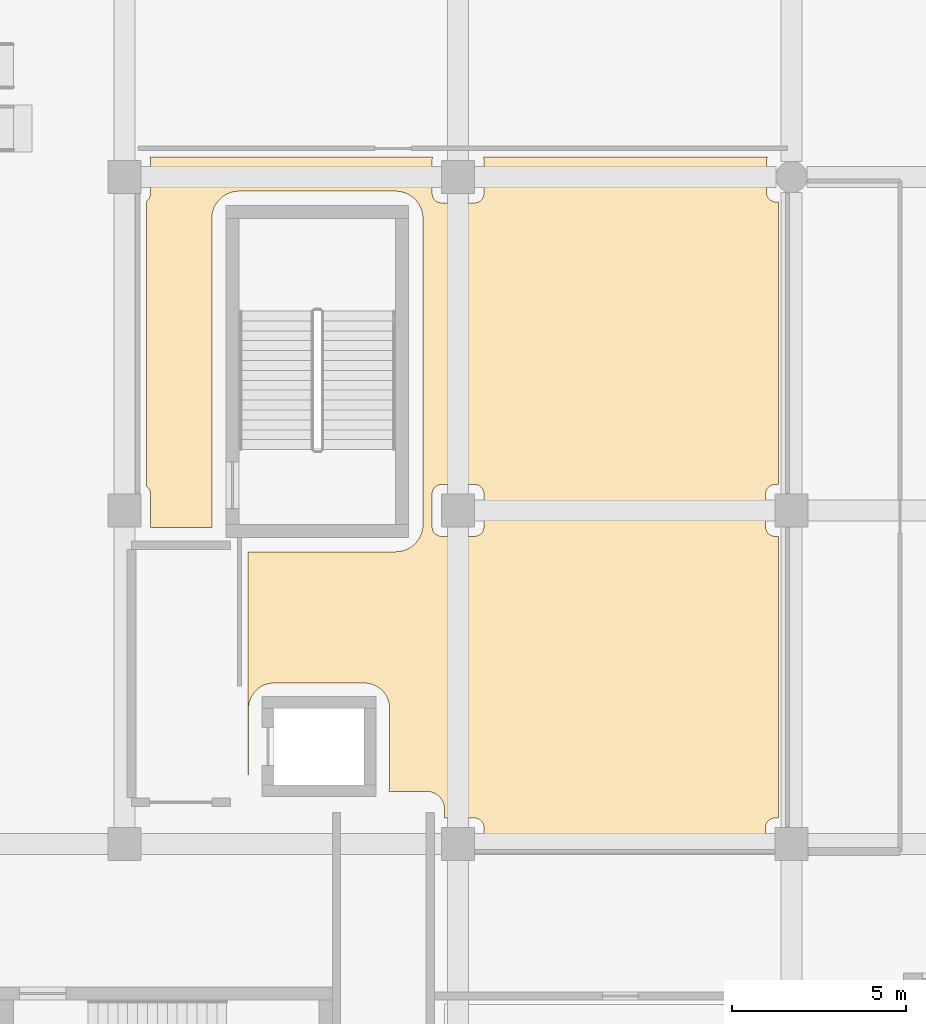
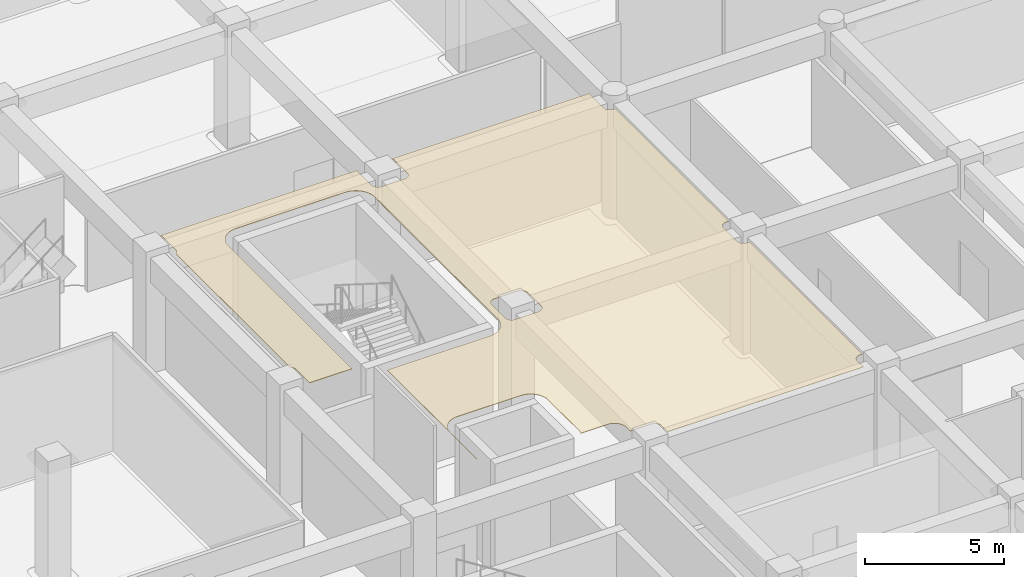
# One storey, part 50 of 74: 1 covering.
"""IFC4 building model written with IfcOpenShell, lengths in metres."""

from ifc_helpers import new_model, si_unit, direction, frame, origin, place, context, subcontext, project, spatial, polyline, outline, extrude, material, layer, layer_set, type_object, element, save


model = new_model("IFC4")

# Units and contexts
model_context = context("Model", 3, precision=1e-05, world=origin(), true_north=direction((0.0, 1.0)))
body_context = subcontext(model_context, "Body", "Model", "MODEL_VIEW")
ifc_project = project(units=[si_unit("LENGTHUNIT", "METRE"), si_unit("AREAUNIT", "SQUARE_METRE"), si_unit("VOLUMEUNIT", "CUBIC_METRE"), si_unit("PLANEANGLEUNIT", "RADIAN"), si_unit("MASSUNIT", "GRAM", prefix="KILO")], contexts=[model_context])

# Site, building, storey
site_placement = place(None, origin())
site = spatial("IfcSite", under=ifc_project, at=site_placement, CompositionType="ELEMENT")
building_placement = place(site_placement, origin())
building = spatial("IfcBuilding", under=site, at=building_placement, Name="Cendralis Terraced Arcade", CompositionType="ELEMENT")
storey_placement = place(building_placement, origin())
storey = spatial("IfcBuildingStorey", under=building, at=storey_placement, Name="L00", CompositionType="ELEMENT", Elevation=0.0)

# Covering
ifc_material = material(Name="Gypsum plasterboard acoustic partition")
ifc_layer = layer(ifc_material, 0.02490234375, Name="COV-CEIL-ACOU-25")
ifc_layer_set = layer_set([ifc_layer], Name="Gypsum plasterboard acoustic partition")
covering_type = type_object("IfcCoveringType", Name="COV-CEIL-ACOU-25", PredefinedType="CEILING", material=ifc_layer_set)
covering_placement = place(storey_placement, frame((0.0, 0.0, 5.06494140625)))
element("IfcCovering", 1, at=covering_placement, inside=storey, type_object=covering_type, Name="Acoustic Soffit Ceiling L00-030", PredefinedType="CEILING", context=body_context, shape_type="SweptSolid", body=[
    extrude(outline(polyline([(48.74462890625, 28.310791015625), (48.74462890625, 28.312744140625), (48.7451171875, 28.324951171875), (48.7451171875, 29.27490234375), (48.74462890625, 29.287353515625), (48.74462890625, 29.289306640625), (48.7421875, 29.313720703125), (48.741943359375, 29.315673828125), (48.737060546875, 29.339599609375), (48.736572265625, 29.341552734375), (48.7294921875, 29.364990234375), (48.72900390625, 29.366943359375), (48.719482421875, 29.389404296875), (48.718505859375, 29.391357421875), (48.70703125, 29.4130859375), (48.7060546875, 29.41455078125), (48.6923828125, 29.43505859375), (48.69140625, 29.4365234375), (48.67578125, 29.45556640625), (48.67431640625, 29.45703125), (48.656982421875, 29.474365234375), (48.655517578125, 29.4755859375), (48.63671875, 29.4912109375), (48.635009765625, 29.492431640625), (48.6298828125, 29.495849609375), (48.6298828125, 37.7041015625), (48.635009765625, 37.70751953125), (48.63671875, 37.708740234375), (48.655517578125, 37.724365234375), (48.656982421875, 37.7255859375), (48.67431640625, 37.742919921875), (48.67578125, 37.744384765625), (48.69140625, 37.763427734375), (48.6923828125, 37.764892578125), (48.7060546875, 37.785400390625), (48.70703125, 37.787109375), (48.718505859375, 37.80859375), (48.719482421875, 37.810546875), (48.72900390625, 37.8330078125), (48.7294921875, 37.8349609375), (48.736572265625, 37.8583984375), (48.737060546875, 37.8603515625), (48.741943359375, 37.884521484375), (48.7421875, 37.886474609375), (48.74462890625, 37.910888671875), (48.74462890625, 37.91259765625), (48.7451171875, 37.925048828125), (48.7451171875, 38.875), (48.74462890625, 38.88720703125), (48.74462890625, 38.88916015625), (48.7421875, 38.91357421875), (48.741943359375, 38.91552734375), (48.737060546875, 38.939697265625), (48.736572265625, 38.941650390625), (48.7294921875, 38.965087890625), (48.72900390625, 38.966796875), (48.7275390625, 38.969970703125), (56.872314453125, 38.969970703125), (56.87109375, 38.966796875), (56.87060546875, 38.965087890625), (56.86328125, 38.941650390625), (56.86279296875, 38.939697265625), (56.858154296875, 38.91552734375), (56.85791015625, 38.91357421875), (56.85546875, 38.88916015625), (56.855224609375, 38.88720703125), (56.85498046875, 38.875), (56.85498046875, 37.925048828125), (56.855224609375, 37.91259765625), (56.85546875, 37.910888671875), (56.85791015625, 37.886474609375), (56.858154296875, 37.884521484375), (56.86279296875, 37.8603515625), (56.86328125, 37.8583984375), (56.87060546875, 37.8349609375), (56.87109375, 37.8330078125), (56.880615234375, 37.810546875), (56.88134765625, 37.80859375), (56.892822265625, 37.787109375), (56.893798828125, 37.785400390625), (56.90771484375, 37.764892578125), (56.90869140625, 37.763427734375), (56.92431640625, 37.744384765625), (56.925537109375, 37.742919921875), (56.943115234375, 37.7255859375), (56.9443359375, 37.724365234375), (56.96337890625, 37.708740234375), (56.965087890625, 37.70751953125), (56.9853515625, 37.69384765625), (56.987060546875, 37.69287109375), (57.0087890625, 37.681396484375), (57.010498046875, 37.680419921875), (57.033203125, 37.671142578125), (57.034912109375, 37.67041015625), (57.058349609375, 37.663330078125), (57.060302734375, 37.662841796875), (57.08447265625, 37.658203125), (57.08642578125, 37.65771484375), (57.11083984375, 37.655517578125), (57.11279296875, 37.6552734375), (57.125, 37.655029296875), (58.074951171875, 37.655029296875), (58.08740234375, 37.6552734375), (58.089111328125, 37.655517578125), (58.113525390625, 37.65771484375), (58.115478515625, 37.658203125), (58.1396484375, 37.662841796875), (58.1416015625, 37.663330078125), (58.1650390625, 37.67041015625), (58.1669921875, 37.671142578125), (58.189453125, 37.680419921875), (58.19140625, 37.681396484375), (58.212890625, 37.69287109375), (58.214599609375, 37.69384765625), (58.235107421875, 37.70751953125), (58.236572265625, 37.708740234375), (58.255615234375, 37.724365234375), (58.257080078125, 37.7255859375), (58.2744140625, 37.742919921875), (58.275634765625, 37.744384765625), (58.291259765625, 37.763427734375), (58.29248046875, 37.764892578125), (58.30615234375, 37.785400390625), (58.30712890625, 37.787109375), (58.318603515625, 37.80859375), (58.319580078125, 37.810546875), (58.328857421875, 37.8330078125), (58.32958984375, 37.8349609375), (58.336669921875, 37.8583984375), (58.337158203125, 37.8603515625), (58.341796875, 37.884521484375), (58.34228515625, 37.886474609375), (58.344482421875, 37.910888671875), (58.3447265625, 37.91259765625), (58.344970703125, 37.925048828125), (58.344970703125, 38.875), (58.3447265625, 38.88720703125), (58.344482421875, 38.88916015625), (58.34228515625, 38.91357421875), (58.341796875, 38.91552734375), (58.337158203125, 38.939697265625), (58.336669921875, 38.941650390625), (58.32958984375, 38.965087890625), (58.328857421875, 38.966796875), (58.32763671875, 38.969970703125), (66.50830078125, 38.969970703125), (66.50634765625, 38.96630859375), (66.505615234375, 38.964599609375), (66.49609375, 38.94189453125), (66.49560546875, 38.93994140625), (66.48828125, 38.91650390625), (66.48779296875, 38.91455078125), (66.483154296875, 38.890625), (66.48291015625, 38.888671875), (66.48046875, 38.8642578125), (66.480224609375, 38.8623046875), (66.47998046875, 38.85009765625), (66.47998046875, 37.949951171875), (66.480224609375, 37.937744140625), (66.48046875, 37.935791015625), (66.48291015625, 37.911376953125), (66.483154296875, 37.909423828125), (66.48779296875, 37.885498046875), (66.48828125, 37.88330078125), (66.49560546875, 37.860107421875), (66.49609375, 37.858154296875), (66.505615234375, 37.83544921875), (66.50634765625, 37.833740234375), (66.517822265625, 37.81201171875), (66.518798828125, 37.810302734375), (66.53271484375, 37.7900390625), (66.53369140625, 37.788330078125), (66.54931640625, 37.769287109375), (66.550537109375, 37.76806640625), (66.568115234375, 37.75048828125), (66.5693359375, 37.749267578125), (66.58837890625, 37.733642578125), (66.590087890625, 37.732666015625), (66.6103515625, 37.718994140625), (66.612060546875, 37.718017578125), (66.6337890625, 37.706298828125), (66.635498046875, 37.70556640625), (66.658203125, 37.696044921875), (66.659912109375, 37.695556640625), (66.683349609375, 37.6884765625), (66.685302734375, 37.68798828125), (66.70947265625, 37.68310546875), (66.71142578125, 37.682861328125), (66.73583984375, 37.680419921875), (66.73779296875, 37.680419921875), (66.75, 37.679931640625), (66.830078125, 37.679931640625), (66.830078125, 29.544921875), (66.72509765625, 29.544921875), (66.712646484375, 29.544677734375), (66.710693359375, 29.544677734375), (66.686279296875, 29.542236328125), (66.684326171875, 29.5419921875), (66.660400390625, 29.537109375), (66.658447265625, 29.53662109375), (66.635009765625, 29.529541015625), (66.633056640625, 29.52880859375), (66.610595703125, 29.51953125), (66.608642578125, 29.5185546875), (66.5869140625, 29.507080078125), (66.58544921875, 29.506103515625), (66.56494140625, 29.492431640625), (66.5634765625, 29.4912109375), (66.54443359375, 29.4755859375), (66.54296875, 29.474365234375), (66.525634765625, 29.45703125), (66.5244140625, 29.45556640625), (66.5087890625, 29.4365234375), (66.507568359375, 29.43505859375), (66.493896484375, 29.41455078125), (66.492919921875, 29.4130859375), (66.4814453125, 29.391357421875), (66.48046875, 29.389404296875), (66.47119140625, 29.366943359375), (66.470458984375, 29.364990234375), (66.46337890625, 29.341552734375), (66.462890625, 29.339599609375), (66.4580078125, 29.315673828125), (66.457763671875, 29.313720703125), (66.455322265625, 29.289306640625), (66.455322265625, 29.287353515625), (66.455078125, 29.27490234375), (66.455078125, 28.324951171875), (66.455322265625, 28.312744140625), (66.455322265625, 28.310791015625), (66.457763671875, 28.286376953125), (66.4580078125, 28.284423828125), (66.462890625, 28.260498046875), (66.46337890625, 28.25830078125), (66.470458984375, 28.235107421875), (66.47119140625, 28.233154296875), (66.48046875, 28.21044921875), (66.4814453125, 28.208740234375), (66.492919921875, 28.18701171875), (66.493896484375, 28.185302734375), (66.507568359375, 28.1650390625), (66.5087890625, 28.163330078125), (66.5244140625, 28.144287109375), (66.525634765625, 28.14306640625), (66.54296875, 28.12548828125), (66.54443359375, 28.124267578125), (66.5634765625, 28.108642578125), (66.56494140625, 28.107666015625), (66.58544921875, 28.093994140625), (66.5869140625, 28.093017578125), (66.608642578125, 28.081298828125), (66.610595703125, 28.08056640625), (66.633056640625, 28.071044921875), (66.635009765625, 28.070556640625), (66.658447265625, 28.0634765625), (66.660400390625, 28.06298828125), (66.684326171875, 28.05810546875), (66.686279296875, 28.057861328125), (66.710693359375, 28.055419921875), (66.712646484375, 28.055419921875), (66.72509765625, 28.054931640625), (66.830078125, 28.054931640625), (66.830078125, 19.945068359375), (66.72509765625, 19.945068359375), (66.712646484375, 19.944580078125), (66.710693359375, 19.944580078125), (66.686279296875, 19.942138671875), (66.684326171875, 19.94189453125), (66.660400390625, 19.93701171875), (66.658447265625, 19.9365234375), (66.635009765625, 19.929443359375), (66.633056640625, 19.928955078125), (66.610595703125, 19.91943359375), (66.608642578125, 19.918701171875), (66.5869140625, 19.906982421875), (66.58544921875, 19.906005859375), (66.56494140625, 19.892333984375), (66.5634765625, 19.891357421875), (66.54443359375, 19.875732421875), (66.54296875, 19.87451171875), (66.525634765625, 19.85693359375), (66.5244140625, 19.855712890625), (66.5087890625, 19.836669921875), (66.507568359375, 19.8349609375), (66.493896484375, 19.814697265625), (66.492919921875, 19.81298828125), (66.4814453125, 19.791259765625), (66.48046875, 19.78955078125), (66.47119140625, 19.766845703125), (66.470458984375, 19.764892578125), (66.46337890625, 19.74169921875), (66.462890625, 19.739501953125), (66.4580078125, 19.715576171875), (66.457763671875, 19.713623046875), (66.455322265625, 19.689208984375), (66.455322265625, 19.687255859375), (66.455078125, 19.675048828125), (66.455078125, 19.22998046875), (58.344970703125, 19.22998046875), (58.344970703125, 19.675048828125), (58.3447265625, 19.687255859375), (58.344482421875, 19.689208984375), (58.34228515625, 19.713623046875), (58.341796875, 19.715576171875), (58.337158203125, 19.739501953125), (58.336669921875, 19.74169921875), (58.32958984375, 19.764892578125), (58.328857421875, 19.766845703125), (58.319580078125, 19.78955078125), (58.318603515625, 19.791259765625), (58.30712890625, 19.81298828125), (58.30615234375, 19.814697265625), (58.29248046875, 19.8349609375), (58.291259765625, 19.836669921875), (58.275634765625, 19.855712890625), (58.2744140625, 19.85693359375), (58.257080078125, 19.87451171875), (58.255615234375, 19.875732421875), (58.236572265625, 19.891357421875), (58.235107421875, 19.892333984375), (58.214599609375, 19.906005859375), (58.212890625, 19.906982421875), (58.19140625, 19.918701171875), (58.189453125, 19.91943359375), (58.1669921875, 19.928955078125), (58.1650390625, 19.929443359375), (58.1416015625, 19.9365234375), (58.1396484375, 19.93701171875), (58.115478515625, 19.94189453125), (58.113525390625, 19.942138671875), (58.089111328125, 19.944580078125), (58.08740234375, 19.944580078125), (58.074951171875, 19.945068359375), (57.2099609375, 19.945068359375), (57.2099609375, 20.199951171875), (57.2099609375, 20.2060546875), (57.209716796875, 20.2119140625), (57.209716796875, 20.21826171875), (57.208984375, 20.23193359375), (57.2080078125, 20.244140625), (57.206787109375, 20.255859375), (57.205322265625, 20.26806640625), (57.203369140625, 20.281494140625), (57.201171875, 20.293701171875), (57.198974609375, 20.30517578125), (57.1962890625, 20.317138671875), (57.19287109375, 20.33056640625), (57.189697265625, 20.34228515625), (57.186279296875, 20.353515625), (57.182373046875, 20.365234375), (57.177734375, 20.378173828125), (57.17333984375, 20.3896484375), (57.168701171875, 20.400634765625), (57.163818359375, 20.411865234375), (57.157958984375, 20.42431640625), (57.15234375, 20.435302734375), (57.14697265625, 20.445556640625), (57.140869140625, 20.456298828125), (57.1337890625, 20.468017578125), (57.127197265625, 20.478515625), (57.12060546875, 20.48828125), (57.113525390625, 20.498291015625), (57.10546875, 20.50927734375), (57.097900390625, 20.518798828125), (57.09033203125, 20.528076171875), (57.08251953125, 20.537353515625), (57.072998046875, 20.547607421875), (57.064697265625, 20.556396484375), (57.056396484375, 20.564697265625), (57.047607421875, 20.572998046875), (57.037353515625, 20.58251953125), (57.028076171875, 20.59033203125), (57.018798828125, 20.597900390625), (57.00927734375, 20.60546875), (56.998291015625, 20.613525390625), (56.98828125, 20.62060546875), (56.978515625, 20.627197265625), (56.968017578125, 20.6337890625), (56.956298828125, 20.640869140625), (56.945556640625, 20.64697265625), (56.935302734375, 20.65234375), (56.92431640625, 20.657958984375), (56.911865234375, 20.663818359375), (56.900634765625, 20.668701171875), (56.8896484375, 20.67333984375), (56.878173828125, 20.677734375), (56.865234375, 20.682373046875), (56.853515625, 20.686279296875), (56.84228515625, 20.689697265625), (56.83056640625, 20.69287109375), (56.817138671875, 20.6962890625), (56.80517578125, 20.698974609375), (56.793701171875, 20.701171875), (56.781494140625, 20.703369140625), (56.76806640625, 20.705322265625), (56.755859375, 20.706787109375), (56.744140625, 20.7080078125), (56.73193359375, 20.708984375), (56.71826171875, 20.709716796875), (56.7119140625, 20.709716796875), (56.7060546875, 20.7099609375), (56.699951171875, 20.7099609375), (55.6044921875, 20.7099609375), (55.612060546875, 20.739990234375), (55.61474609375, 20.751708984375), (55.616943359375, 20.763427734375), (55.619140625, 20.775390625), (55.624267578125, 20.810302734375), (55.625732421875, 20.822509765625), (55.626953125, 20.834228515625), (55.627685546875, 20.8466796875), (55.629638671875, 20.8818359375), (55.6298828125, 20.887939453125), (55.6298828125, 20.893798828125), (55.6298828125, 20.89990234375), (55.6298828125, 23.10009765625), (55.6298828125, 23.106201171875), (55.6298828125, 23.112060546875), (55.629638671875, 23.1181640625), (55.627685546875, 23.1533203125), (55.626953125, 23.165771484375), (55.625732421875, 23.177490234375), (55.624267578125, 23.189697265625), (55.619140625, 23.224609375), (55.616943359375, 23.236572265625), (55.61474609375, 23.248291015625), (55.612060546875, 23.260009765625), (55.603515625, 23.29443359375), (55.60009765625, 23.30615234375), (55.5966796875, 23.3173828125), (55.593017578125, 23.3291015625), (55.5810546875, 23.3623046875), (55.57666015625, 23.373779296875), (55.572021484375, 23.384765625), (55.567138671875, 23.39599609375), (55.552001953125, 23.427978515625), (55.54638671875, 23.43896484375), (55.541015625, 23.44921875), (55.534912109375, 23.4599609375), (55.5166015625, 23.490234375), (55.510009765625, 23.50048828125), (55.503662109375, 23.510498046875), (55.49658203125, 23.5205078125), (55.4755859375, 23.548828125), (55.468017578125, 23.55859375), (55.46044921875, 23.567626953125), (55.452392578125, 23.576904296875), (55.4287109375, 23.60302734375), (55.420166015625, 23.61181640625), (55.411865234375, 23.6201171875), (55.403076171875, 23.628662109375), (55.376953125, 23.65234375), (55.36767578125, 23.660400390625), (55.3583984375, 23.66796875), (55.348876953125, 23.675537109375), (55.3203125, 23.696533203125), (55.310302734375, 23.70361328125), (55.300537109375, 23.710205078125), (55.290283203125, 23.716796875), (55.260009765625, 23.73486328125), (55.249267578125, 23.740966796875), (55.239013671875, 23.74658203125), (55.227783203125, 23.751953125), (55.196044921875, 23.76708984375), (55.184814453125, 23.77197265625), (55.173828125, 23.776611328125), (55.162353515625, 23.781005859375), (55.129150390625, 23.79296875), (55.117431640625, 23.796630859375), (55.106201171875, 23.800048828125), (55.094482421875, 23.803466796875), (55.06005859375, 23.81201171875), (55.048095703125, 23.814697265625), (55.03662109375, 23.81689453125), (55.0244140625, 23.819091796875), (54.989501953125, 23.82421875), (54.977294921875, 23.82568359375), (54.9658203125, 23.826904296875), (54.953369140625, 23.827880859375), (54.918212890625, 23.82958984375), (54.912109375, 23.829833984375), (54.906005859375, 23.829833984375), (54.89990234375, 23.830078125), (52.300048828125, 23.830078125), (52.2939453125, 23.829833984375), (52.2880859375, 23.829833984375), (52.28173828125, 23.82958984375), (52.24658203125, 23.827880859375), (52.234375, 23.826904296875), (52.22265625, 23.82568359375), (52.21044921875, 23.82421875), (52.175537109375, 23.819091796875), (52.163330078125, 23.81689453125), (52.15185546875, 23.814697265625), (52.139892578125, 23.81201171875), (52.105712890625, 23.803466796875), (52.09375, 23.800048828125), (52.08251953125, 23.796630859375), (52.07080078125, 23.79296875), (52.03759765625, 23.781005859375), (52.026123046875, 23.776611328125), (52.015380859375, 23.77197265625), (52.00390625, 23.76708984375), (51.97216796875, 23.751953125), (51.961181640625, 23.74658203125), (51.95068359375, 23.740966796875), (51.940185546875, 23.73486328125), (51.909912109375, 23.716796875), (51.8994140625, 23.710205078125), (51.8896484375, 23.70361328125), (51.879638671875, 23.696533203125), (51.851318359375, 23.675537109375), (51.841552734375, 23.66796875), (51.83251953125, 23.660400390625), (51.822998046875, 23.65234375), (51.797119140625, 23.628662109375), (51.7880859375, 23.6201171875), (51.77978515625, 23.61181640625), (51.771240234375, 23.60302734375), (51.74755859375, 23.576904296875), (51.739501953125, 23.567626953125), (51.732177734375, 23.55859375), (51.724609375, 23.548828125), (51.70361328125, 23.5205078125), (51.6962890625, 23.510498046875), (51.68994140625, 23.50048828125), (51.683349609375, 23.490234375), (51.6650390625, 23.4599609375), (51.6591796875, 23.44921875), (51.653564453125, 23.43896484375), (51.64794921875, 23.427978515625), (51.6328125, 23.39599609375), (51.6279296875, 23.384765625), (51.623291015625, 23.373779296875), (51.618896484375, 23.3623046875), (51.607177734375, 23.3291015625), (51.603271484375, 23.3173828125), (51.599853515625, 23.30615234375), (51.5966796875, 23.29443359375), (51.587890625, 23.260009765625), (51.585205078125, 23.248291015625), (51.5830078125, 23.236572265625), (51.580810546875, 23.224609375), (51.57568359375, 23.189697265625), (51.57421875, 23.177490234375), (51.572998046875, 23.165771484375), (51.572265625, 23.1533203125), (51.5703125, 23.1181640625), (51.5703125, 23.112060546875), (51.570068359375, 23.106201171875), (51.570068359375, 23.10009765625), (51.570068359375, 21.188720703125), (51.56005859375, 21.187255859375), (51.56005859375, 27.610107421875), (55.800048828125, 27.610107421875), (55.80615234375, 27.610107421875), (55.81201171875, 27.610107421875), (55.818115234375, 27.6103515625), (55.859375, 27.612548828125), (55.87158203125, 27.61328125), (55.88330078125, 27.614501953125), (55.8955078125, 27.615966796875), (55.936279296875, 27.6220703125), (55.9482421875, 27.624267578125), (55.9599609375, 27.62646484375), (55.9716796875, 27.629150390625), (56.01171875, 27.63916015625), (56.023681640625, 27.642333984375), (56.034912109375, 27.64599609375), (56.046630859375, 27.649658203125), (56.08544921875, 27.66357421875), (56.0966796875, 27.66796875), (56.107666015625, 27.672607421875), (56.118896484375, 27.677490234375), (56.15625, 27.695068359375), (56.1669921875, 27.70068359375), (56.177490234375, 27.706298828125), (56.188232421875, 27.712158203125), (56.2236328125, 27.7333984375), (56.23388671875, 27.739990234375), (56.24365234375, 27.74658203125), (56.253662109375, 27.753662109375), (56.286865234375, 27.778076171875), (56.29638671875, 27.78564453125), (56.3056640625, 27.793212890625), (56.31494140625, 27.80126953125), (56.345458984375, 27.828857421875), (56.354248046875, 27.83740234375), (56.36279296875, 27.845703125), (56.37109375, 27.8544921875), (56.398681640625, 27.885009765625), (56.40673828125, 27.894287109375), (56.414306640625, 27.903564453125), (56.421875, 27.9130859375), (56.4462890625, 27.9462890625), (56.45361328125, 27.956298828125), (56.4599609375, 27.966064453125), (56.466552734375, 27.976318359375), (56.48779296875, 28.01171875), (56.493896484375, 28.0224609375), (56.49951171875, 28.032958984375), (56.5048828125, 28.043701171875), (56.5224609375, 28.0810546875), (56.527587890625, 28.09228515625), (56.531982421875, 28.103271484375), (56.536376953125, 28.114501953125), (56.55029296875, 28.1533203125), (56.55419921875, 28.1650390625), (56.5576171875, 28.176513671875), (56.560791015625, 28.188232421875), (56.57080078125, 28.228271484375), (56.573486328125, 28.239990234375), (56.57568359375, 28.251708984375), (56.577880859375, 28.263916015625), (56.583984375, 28.304443359375), (56.58544921875, 28.316650390625), (56.586669921875, 28.328369140625), (56.58740234375, 28.3408203125), (56.589599609375, 28.3818359375), (56.58984375, 28.387939453125), (56.58984375, 28.393798828125), (56.590087890625, 28.39990234375), (56.590087890625, 37.199951171875), (56.58984375, 37.2060546875), (56.58984375, 37.2119140625), (56.589599609375, 37.21826171875), (56.58740234375, 37.25927734375), (56.586669921875, 37.271484375), (56.58544921875, 37.283203125), (56.583984375, 37.29541015625), (56.577880859375, 37.336181640625), (56.57568359375, 37.348388671875), (56.573486328125, 37.35986328125), (56.57080078125, 37.371826171875), (56.560791015625, 37.411865234375), (56.5576171875, 37.423583984375), (56.55419921875, 37.434814453125), (56.55029296875, 37.446533203125), (56.536376953125, 37.4853515625), (56.531982421875, 37.496826171875), (56.527587890625, 37.5078125), (56.5224609375, 37.518798828125), (56.5048828125, 37.55615234375), (56.49951171875, 37.567138671875), (56.493896484375, 37.577392578125), (56.48779296875, 37.588134765625), (56.466552734375, 37.62353515625), (56.4599609375, 37.6337890625), (56.45361328125, 37.643798828125), (56.4462890625, 37.65380859375), (56.421875, 37.68701171875), (56.414306640625, 37.696533203125), (56.40673828125, 37.70556640625), (56.398681640625, 37.71484375), (56.37109375, 37.74560546875), (56.36279296875, 37.75439453125), (56.354248046875, 37.7626953125), (56.345458984375, 37.77099609375), (56.31494140625, 37.798828125), (56.3056640625, 37.806884765625), (56.29638671875, 37.814208984375), (56.286865234375, 37.822021484375), (56.253662109375, 37.846435546875), (56.24365234375, 37.853515625), (56.23388671875, 37.860107421875), (56.2236328125, 37.86669921875), (56.188232421875, 37.8876953125), (56.177490234375, 37.893798828125), (56.1669921875, 37.8994140625), (56.15625, 37.90478515625), (56.118896484375, 37.922607421875), (56.107666015625, 37.927490234375), (56.0966796875, 37.931884765625), (56.08544921875, 37.936279296875), (56.046630859375, 37.9501953125), (56.034912109375, 37.9541015625), (56.023681640625, 37.95751953125), (56.01171875, 37.960693359375), (55.9716796875, 37.970703125), (55.9599609375, 37.973388671875), (55.9482421875, 37.975830078125), (55.936279296875, 37.977783203125), (55.8955078125, 37.98388671875), (55.88330078125, 37.985595703125), (55.87158203125, 37.986572265625), (55.859375, 37.987548828125), (55.818115234375, 37.989501953125), (55.81201171875, 37.98974609375), (55.80615234375, 37.989990234375), (55.800048828125, 37.989990234375), (51.300048828125, 37.989990234375), (51.2939453125, 37.989990234375), (51.2880859375, 37.98974609375), (51.28173828125, 37.989501953125), (51.24072265625, 37.987548828125), (51.228515625, 37.986572265625), (51.216796875, 37.985595703125), (51.20458984375, 37.98388671875), (51.163818359375, 37.977783203125), (51.151611328125, 37.975830078125), (51.14013671875, 37.973388671875), (51.128173828125, 37.970703125), (51.088134765625, 37.960693359375), (51.076416015625, 37.95751953125), (51.065185546875, 37.9541015625), (51.053466796875, 37.9501953125), (51.0146484375, 37.936279296875), (51.003173828125, 37.931884765625), (50.9921875, 37.927490234375), (50.981201171875, 37.922607421875), (50.94384765625, 37.90478515625), (50.932861328125, 37.8994140625), (50.922607421875, 37.893798828125), (50.911865234375, 37.8876953125), (50.87646484375, 37.86669921875), (50.8662109375, 37.860107421875), (50.856201171875, 37.853515625), (50.84619140625, 37.846435546875), (50.81298828125, 37.822021484375), (50.803466796875, 37.814208984375), (50.79443359375, 37.806884765625), (50.78515625, 37.798828125), (50.75439453125, 37.77099609375), (50.74560546875, 37.7626953125), (50.7373046875, 37.75439453125), (50.72900390625, 37.74560546875), (50.701171875, 37.71484375), (50.693115234375, 37.70556640625), (50.685791015625, 37.696533203125), (50.677978515625, 37.68701171875), (50.653564453125, 37.65380859375), (50.646484375, 37.643798828125), (50.639892578125, 37.6337890625), (50.63330078125, 37.62353515625), (50.6123046875, 37.588134765625), (50.606201171875, 37.577392578125), (50.6005859375, 37.567138671875), (50.59521484375, 37.55615234375), (50.577392578125, 37.518798828125), (50.572509765625, 37.5078125), (50.568115234375, 37.496826171875), (50.563720703125, 37.4853515625), (50.5498046875, 37.446533203125), (50.5458984375, 37.434814453125), (50.54248046875, 37.423583984375), (50.539306640625, 37.411865234375), (50.529296875, 37.371826171875), (50.526611328125, 37.35986328125), (50.524169921875, 37.348388671875), (50.522216796875, 37.336181640625), (50.51611328125, 37.29541015625), (50.514404296875, 37.283203125), (50.513427734375, 37.271484375), (50.512451171875, 37.25927734375), (50.510498046875, 37.21826171875), (50.51025390625, 37.2119140625), (50.510009765625, 37.2060546875), (50.510009765625, 37.199951171875), (50.510009765625, 28.39990234375), (50.510009765625, 28.393798828125), (50.51025390625, 28.387939453125), (50.510498046875, 28.3818359375), (50.512451171875, 28.3408203125), (50.513427734375, 28.328369140625), (50.514404296875, 28.316650390625), (50.515380859375, 28.31005859375), (48.744384765625, 28.31005859375), (48.74462890625, 28.310791015625)]), holes=[polyline([(56.9853515625, 28.093994140625), (56.987060546875, 28.093017578125), (57.0087890625, 28.081298828125), (57.010498046875, 28.08056640625), (57.033203125, 28.071044921875), (57.034912109375, 28.070556640625), (57.058349609375, 28.0634765625), (57.060302734375, 28.06298828125), (57.08447265625, 28.05810546875), (57.08642578125, 28.057861328125), (57.11083984375, 28.055419921875), (57.11279296875, 28.055419921875), (57.125, 28.054931640625), (58.074951171875, 28.054931640625), (58.08740234375, 28.055419921875), (58.089111328125, 28.055419921875), (58.113525390625, 28.057861328125), (58.115478515625, 28.05810546875), (58.1396484375, 28.06298828125), (58.1416015625, 28.0634765625), (58.1650390625, 28.070556640625), (58.1669921875, 28.071044921875), (58.189453125, 28.08056640625), (58.19140625, 28.081298828125), (58.212890625, 28.093017578125), (58.214599609375, 28.093994140625), (58.235107421875, 28.107666015625), (58.236572265625, 28.108642578125), (58.255615234375, 28.124267578125), (58.257080078125, 28.12548828125), (58.2744140625, 28.14306640625), (58.275634765625, 28.144287109375), (58.291259765625, 28.163330078125), (58.29248046875, 28.1650390625), (58.30615234375, 28.185302734375), (58.30712890625, 28.18701171875), (58.318603515625, 28.208740234375), (58.319580078125, 28.21044921875), (58.328857421875, 28.233154296875), (58.32958984375, 28.235107421875), (58.336669921875, 28.25830078125), (58.337158203125, 28.260498046875), (58.341796875, 28.284423828125), (58.34228515625, 28.286376953125), (58.344482421875, 28.310791015625), (58.3447265625, 28.312744140625), (58.344970703125, 28.324951171875), (58.344970703125, 29.27490234375), (58.3447265625, 29.287353515625), (58.344482421875, 29.289306640625), (58.34228515625, 29.313720703125), (58.341796875, 29.315673828125), (58.337158203125, 29.339599609375), (58.336669921875, 29.341552734375), (58.32958984375, 29.364990234375), (58.328857421875, 29.366943359375), (58.319580078125, 29.389404296875), (58.318603515625, 29.391357421875), (58.30712890625, 29.4130859375), (58.30615234375, 29.41455078125), (58.29248046875, 29.43505859375), (58.291259765625, 29.4365234375), (58.275634765625, 29.45556640625), (58.2744140625, 29.45703125), (58.257080078125, 29.474365234375), (58.255615234375, 29.4755859375), (58.236572265625, 29.4912109375), (58.235107421875, 29.492431640625), (58.214599609375, 29.506103515625), (58.212890625, 29.507080078125), (58.19140625, 29.5185546875), (58.189453125, 29.51953125), (58.1669921875, 29.52880859375), (58.1650390625, 29.529541015625), (58.1416015625, 29.53662109375), (58.1396484375, 29.537109375), (58.115478515625, 29.5419921875), (58.113525390625, 29.542236328125), (58.089111328125, 29.544677734375), (58.08740234375, 29.544677734375), (58.074951171875, 29.544921875), (57.125, 29.544921875), (57.11279296875, 29.544677734375), (57.11083984375, 29.544677734375), (57.08642578125, 29.542236328125), (57.08447265625, 29.5419921875), (57.060302734375, 29.537109375), (57.058349609375, 29.53662109375), (57.034912109375, 29.529541015625), (57.033203125, 29.52880859375), (57.010498046875, 29.51953125), (57.0087890625, 29.5185546875), (56.987060546875, 29.507080078125), (56.9853515625, 29.506103515625), (56.965087890625, 29.492431640625), (56.96337890625, 29.4912109375), (56.9443359375, 29.4755859375), (56.943115234375, 29.474365234375), (56.925537109375, 29.45703125), (56.92431640625, 29.45556640625), (56.90869140625, 29.4365234375), (56.90771484375, 29.43505859375), (56.893798828125, 29.41455078125), (56.892822265625, 29.4130859375), (56.88134765625, 29.391357421875), (56.880615234375, 29.389404296875), (56.87109375, 29.366943359375), (56.87060546875, 29.364990234375), (56.86328125, 29.341552734375), (56.86279296875, 29.339599609375), (56.858154296875, 29.315673828125), (56.85791015625, 29.313720703125), (56.85546875, 29.289306640625), (56.855224609375, 29.287353515625), (56.85498046875, 29.27490234375), (56.85498046875, 28.324951171875), (56.855224609375, 28.312744140625), (56.85546875, 28.310791015625), (56.85791015625, 28.286376953125), (56.858154296875, 28.284423828125), (56.86279296875, 28.260498046875), (56.86328125, 28.25830078125), (56.87060546875, 28.235107421875), (56.87109375, 28.233154296875), (56.880615234375, 28.21044921875), (56.88134765625, 28.208740234375), (56.892822265625, 28.18701171875), (56.893798828125, 28.185302734375), (56.90771484375, 28.1650390625), (56.90869140625, 28.163330078125), (56.92431640625, 28.144287109375), (56.925537109375, 28.14306640625), (56.943115234375, 28.12548828125), (56.9443359375, 28.124267578125), (56.96337890625, 28.108642578125), (56.965087890625, 28.107666015625), (56.9853515625, 28.093994140625)])]), origin(), (0.0, 0.0, 1.0), 0.025146484375),
])

save(model, "model.ifc")
